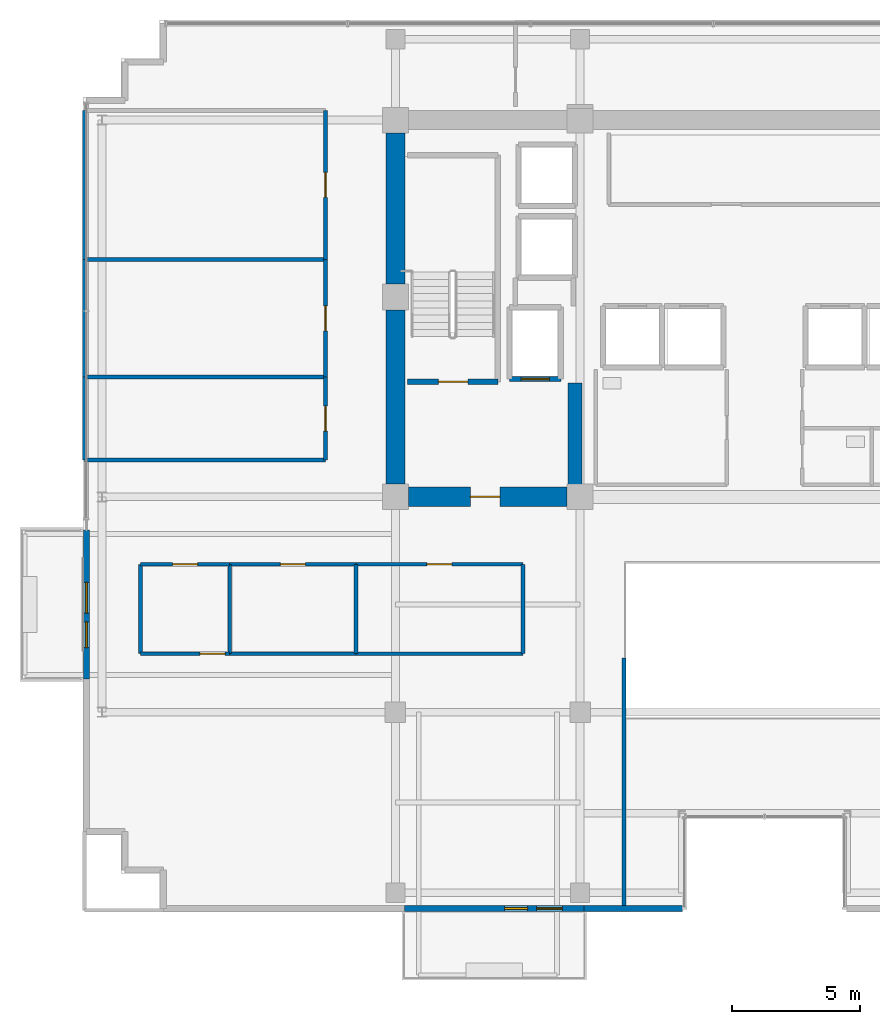
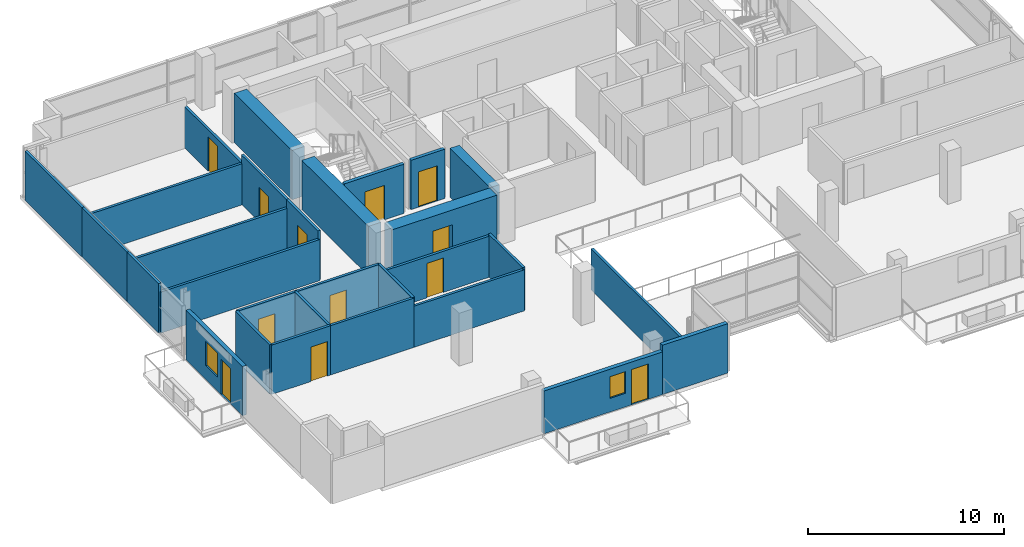
# One storey, part 14 of 21: 29 walls, 12 doors, 2 windows, 14 openings.
"""IFC4 building model written with IfcOpenShell, lengths in metres."""

import ifcopenshell
import ifcopenshell.guid

model = None  # the IFC model being written
_history = None  # IfcOwnerHistory: only IFC2X3 demands one
_inside = {}  # id of a spatial element -> (the spatial element, [elements in it])
_under = {}  # id of a project, library or spatial element -> (it, [spatial elements below it])
_declared = {}  # id of a project -> (the project, [libraries it declares])
_typed = {}  # id of a type object -> (the type object, [elements of that type])
_made_of = {}  # id of a material, layer set ... -> (it, [elements and type objects made of it])


def new_model(schema):
    """Start an empty IFC model of exactly this schema.

    Asked for "IFC4X3", IfcOpenShell would pick the latest addendum, in which some entities
    have other attributes; the version numbers below select the first issue.
    IFC2X3 requires an IfcOwnerHistory on every rooted entity: one is made here for all.
    """
    global model, _history
    if schema == "IFC4X3":
        model = ifcopenshell.file(schema_version=(4, 3, 0, 0))
    else:
        model = ifcopenshell.file(schema=schema)
    _inside.clear()
    _under.clear()
    _declared.clear()
    _typed.clear()
    _made_of.clear()
    _history = None
    if model.schema == "IFC2X3":
        org = make("IfcOrganization", Name="unknown")
        user = make(
            "IfcPersonAndOrganization",
            ThePerson=make("IfcPerson", FamilyName="unknown"),
            TheOrganization=org,
        )
        app = make(
            "IfcApplication",
            ApplicationDeveloper=org,
            Version="unknown",
            ApplicationFullName="unknown",
            ApplicationIdentifier="unknown",
        )
        _history = make(
            "IfcOwnerHistory",
            OwningUser=user,
            OwningApplication=app,
            ChangeAction="ADDED",
            CreationDate=0,
        )
    return model


def make(cls, **values):
    """One entity of the class cls with the attributes given. An attribute that is None is left unset."""
    return model.create_entity(
        cls, **{name: value for name, value in values.items() if value is not None}
    )


def rooted(cls, **values):
    """An entity with a GlobalId (a new one), such as an element, a storey or a relation."""
    return make(cls, GlobalId=ifcopenshell.guid.new(), OwnerHistory=_history, **values)


def si_unit(unit_type, name, prefix=None):
    """IfcSIUnit, for example si_unit("LENGTHUNIT", "METRE", prefix="MILLI")."""
    return make("IfcSIUnit", UnitType=unit_type, Prefix=prefix, Name=name)


def assignment(units):
    """IfcUnitAssignment: the units of a project."""
    return None if units is None else make("IfcUnitAssignment", Units=units)


def point(xyz):
    """IfcCartesianPoint."""
    return None if xyz is None else make("IfcCartesianPoint", Coordinates=xyz)


def direction(xyz):
    """IfcDirection."""
    return None if xyz is None else make("IfcDirection", DirectionRatios=xyz)


def frame(location, z_axis=None, x_axis=None):
    """IfcAxis2Placement3D, a coordinate frame: its origin and axes. An axis left out is left unset."""
    return make(
        "IfcAxis2Placement3D",
        Location=point(location),
        Axis=direction(z_axis),
        RefDirection=direction(x_axis),
    )


def frame_2d(location, x_axis=None):
    """IfcAxis2Placement2D, a coordinate frame in the plane: its origin and x axis."""
    return make(
        "IfcAxis2Placement2D", Location=point(location), RefDirection=direction(x_axis)
    )


def origin():
    """The frame at (0, 0, 0) with its axes left unset."""
    return frame((0.0, 0.0, 0.0))


def place(relative_to, where):
    """IfcLocalPlacement: puts the frame where relative to a parent placement (None: the world)."""
    return make(
        "IfcLocalPlacement", PlacementRelTo=relative_to, RelativePlacement=where
    )


def context(
    kind, dimensions, precision=None, world=None, true_north=None, identifier=None
):
    """IfcGeometricRepresentationContext, for example the 3D "Model" context."""
    return make(
        "IfcGeometricRepresentationContext",
        ContextIdentifier=identifier,
        ContextType=kind,
        CoordinateSpaceDimension=dimensions,
        Precision=precision,
        WorldCoordinateSystem=world,
        TrueNorth=true_north,
    )


def subcontext(parent, identifier, kind, view, scale=None):
    """IfcGeometricRepresentationSubContext, for example "Body" below "Model"."""
    return make(
        "IfcGeometricRepresentationSubContext",
        ContextIdentifier=identifier,
        ContextType=kind,
        ParentContext=parent,
        TargetScale=scale,
        TargetView=view,
    )


def project(units=None, contexts=None):
    """IfcProject with its units and contexts."""
    return rooted(
        "IfcProject",
        Name="project",
        RepresentationContexts=contexts,
        UnitsInContext=assignment(units),
    )


def spatial(cls, under=None, at=None, **own):
    """A site, building, storey or space (cls), placed at a placement, below another one or the project."""
    s = rooted(cls, ObjectPlacement=at, **own)
    if under is not None:
        _under.setdefault(under.id(), (under, []))[1].append(s)
    return s


def profile(cls, at=None, kind="AREA", **sizes):
    """A parametric profile (cls). Its sizes go by their IFC names, for example OverallWidth=200.0."""
    return make(cls, ProfileType=kind, Position=at, **sizes)


def rectangle(**sizes):
    """IfcRectangleProfileDef."""
    return profile("IfcRectangleProfileDef", **sizes)


def extrude(swept, where, along, depth):
    """IfcExtrudedAreaSolid: the profile swept, set in the frame where, extruded along a direction by depth."""
    return make(
        "IfcExtrudedAreaSolid",
        SweptArea=swept,
        Position=where,
        ExtrudedDirection=direction(along),
        Depth=depth,
    )


def shape(context_of_items, identifier, shape_type, items):
    """IfcShapeRepresentation: the items that make up one representation, for example the "Body"."""
    return make(
        "IfcShapeRepresentation",
        ContextOfItems=context_of_items,
        RepresentationIdentifier=identifier,
        RepresentationType=shape_type,
        Items=items,
    )


def source(mapping_origin, context_of_items, identifier, shape_type, items):
    """IfcRepresentationMap: a shape defined once, which mapped items show again and again."""
    return make(
        "IfcRepresentationMap",
        MappingOrigin=mapping_origin,
        MappedRepresentation=shape(context_of_items, identifier, shape_type, items),
    )


def transform(
    local_origin,
    x_axis=None,
    y_axis=None,
    z_axis=None,
    scale=None,
    scale2=None,
    scale3=None,
    uniform=True,
):
    """IfcCartesianTransformationOperator3D, or its non-uniform kind. x_axis, y_axis, z_axis: its Axis1, 2, 3."""
    if uniform:
        return make(
            "IfcCartesianTransformationOperator3D",
            Axis1=direction(x_axis),
            Axis2=direction(y_axis),
            LocalOrigin=point(local_origin),
            Scale=scale,
            Axis3=direction(z_axis),
        )
    return make(
        "IfcCartesianTransformationOperator3DnonUniform",
        Axis1=direction(x_axis),
        Axis2=direction(y_axis),
        LocalOrigin=point(local_origin),
        Scale=scale,
        Axis3=direction(z_axis),
        Scale2=scale2,
        Scale3=scale3,
    )


def mapped(mapping_source, mapping_target):
    """IfcMappedItem: shows the shape of a source again, moved by a transform."""
    return make(
        "IfcMappedItem", MappingSource=mapping_source, MappingTarget=mapping_target
    )


def material(Name=None, Category=None):
    """IfcMaterial."""
    return make("IfcMaterial", Name=Name, Category=Category)


def layer(
    of_material, thickness, ventilated=None, Name=None, Category=None, Priority=None
):
    """IfcMaterialLayer: one layer of a wall or slab, of a material (None: an air gap)."""
    return make(
        "IfcMaterialLayer",
        Material=of_material,
        LayerThickness=thickness,
        IsVentilated=ventilated,
        Name=Name,
        Category=Category,
        Priority=Priority,
    )


def layer_set(layers, Name=None):
    """IfcMaterialLayerSet."""
    return make("IfcMaterialLayerSet", MaterialLayers=layers, LayerSetName=Name)


def made_of(thing, what):
    """Note that an element or type object is made of a material, layer set ...; save() writes the relation."""
    if what is not None:
        _made_of.setdefault(what.id(), (what, []))[1].append(thing)
    return thing


def type_object(cls, material=None, **own):
    """A type object (cls), such as IfcWallType, which elements share."""
    return made_of(rooted(cls, **own), material)


def element(
    cls,
    number,
    at=None,
    inside=None,
    cuts=None,
    type_object=None,
    material=None,
    context=None,
    identifier="Body",
    shape_type=None,
    held_by="IfcProductDefinitionShape",
    body=None,
    shapes=None,
    **own,
):
    """One element of the class cls, such as IfcWall. Its Tag is "e" and its number.

    at: its placement. inside: the storey or other place that contains it. cuts: it is an
    opening in that element (IfcRelVoidsElement). A single representation is given by context,
    identifier, shape_type and body (its items); several are given by shapes. held_by: the class
    of the entity that holds the representations. save() writes the other relations.
    """
    e = rooted(cls, Tag="e%d" % number, ObjectPlacement=at, **own)
    if body is not None:
        shapes = [shape(context, identifier, shape_type, body)]
    if shapes is not None:
        e.Representation = make(held_by, Representations=shapes)
    if inside is not None:
        _inside.setdefault(inside.id(), (inside, []))[1].append(e)
    if cuts is not None:
        rooted(
            "IfcRelVoidsElement", RelatingBuildingElement=cuts, RelatedOpeningElement=e
        )
    if type_object is not None:
        _typed.setdefault(type_object.id(), (type_object, []))[1].append(e)
    return made_of(e, material)


def fill(opening, filler):
    """IfcRelFillsElement: the door or window that sits in an opening."""
    return rooted(
        "IfcRelFillsElement",
        RelatingOpeningElement=opening,
        RelatedBuildingElement=filler,
    )


def aggregate(whole, parts):
    """IfcRelAggregates: a whole, such as a stair, and the parts it consists of."""
    return rooted("IfcRelAggregates", RelatingObject=whole, RelatedObjects=parts)


def save(model, path):
    """Write the relations noted so far, then the file.

    IfcRelAggregates (storeys below a building ...), IfcRelContainedInSpatialStructure (elements
    in a storey), IfcRelDefinesByType, IfcRelAssociatesMaterial and IfcRelDeclares: one each for
    every whole, place, type object, material and project.
    """
    for whole, parts in _under.values():
        aggregate(whole, parts)
    for where, things in _inside.values():
        rooted(
            "IfcRelContainedInSpatialStructure",
            RelatedElements=things,
            RelatingStructure=where,
        )
    for kind, things in _typed.values():
        rooted("IfcRelDefinesByType", RelatedObjects=things, RelatingType=kind)
    for what, things in _made_of.values():
        rooted("IfcRelAssociatesMaterial", RelatedObjects=things, RelatingMaterial=what)
    for by, libraries in _declared.values():
        rooted("IfcRelDeclares", RelatingContext=by, RelatedDefinitions=libraries)
    model.write(path)


model = new_model("IFC4")

# Units and contexts
model_context = context("Model", 3, precision=1e-05, world=origin(), true_north=direction((0.0, 1.0)))
body_context = subcontext(model_context, "Body", "Model", "MODEL_VIEW")
ifc_project = project(units=[si_unit("LENGTHUNIT", "METRE"), si_unit("AREAUNIT", "SQUARE_METRE"), si_unit("VOLUMEUNIT", "CUBIC_METRE"), si_unit("PLANEANGLEUNIT", "RADIAN"), si_unit("MASSUNIT", "GRAM", prefix="KILO")], contexts=[model_context])

# Site, building, storey
site_placement = place(None, origin())
site = spatial("IfcSite", under=ifc_project, at=site_placement, CompositionType="ELEMENT")
building_placement = place(site_placement, origin())
building = spatial("IfcBuilding", under=site, at=building_placement, Name="Zarnakvel Exchange Tower", CompositionType="ELEMENT")
storey_placement = place(building_placement, frame((0.0, 0.0, 166.0)))
storey = spatial("IfcBuildingStorey", under=building, at=storey_placement, Name="L46", CompositionType="ELEMENT", Elevation=166.0)

# Walls
ifc_material_1 = material(Name="Concrete C60/75", Category="concrete")
ifc_layer_1 = layer(ifc_material_1, 0.75)
ifc_layer_set_1 = layer_set([ifc_layer_1], Name="Concrete C60/75")
wall_type_1 = type_object("IfcWallType", Name="CW-C3", PredefinedType="SHEAR", material=ifc_layer_set_1)
wall_1_placement = place(storey_placement, frame((-14.39990234375, -0.699951171875, 0.0), z_axis=(0.0, 0.0, 1.0), x_axis=(0.0, 1.0, 0.0)))
element("IfcWall", 1, at=wall_1_placement, inside=storey, type_object=wall_type_1, Name="L46 Rear Core Shear Wall W1 (CW-C3)", PredefinedType="SHEAR", context=body_context, shape_type="SweptSolid", body=[
    extrude(rectangle(XDim=6.800048828125, YDim=0.75, at=frame_2d((3.39990234375, 0.0))), origin(), (0.0, 0.0, 1.0), 3.074951171875),
])
wall_2_placement = place(storey_placement, frame((-14.39990234375, 7.10009765625, 0.0), z_axis=(0.0, 0.0, 1.0), x_axis=(0.0, 1.0, 0.0)))
element("IfcWall", 2, at=wall_2_placement, inside=storey, type_object=wall_type_1, Name="L46 Rear Core Shear Wall W2 (CW-C3)", PredefinedType="SHEAR", context=body_context, shape_type="SweptSolid", body=[
    extrude(rectangle(XDim=5.89990234375, YDim=0.75, at=frame_2d((2.949951171875, 0.0))), origin(), (0.0, 0.0, 1.0), 3.074951171875),
])

# Wall, opening, door
wall_3_placement = place(storey_placement, frame((-7.699951171875, -1.199951171875, 0.0), z_axis=(0.0, 0.0, 1.0), x_axis=(-1.0, 0.0, 0.0)))
wall_3 = element("IfcWall", 3, at=wall_3_placement, inside=storey, type_object=wall_type_1, Name="L46 Rear Core Shear Wall SW (CW-C3)", PredefinedType="SHEAR", context=body_context, shape_type="SweptSolid", body=[
    extrude(rectangle(XDim=6.199951171875, YDim=0.75, at=frame_2d((3.10009765625, 0.0))), origin(), (0.0, 0.0, 1.0), 3.074951171875),
])
opening_1_placement = place(wall_3_placement, frame((2.625, 0.0, 0.0)))
opening_1 = element("IfcOpeningElement", 4, at=opening_1_placement, cuts=wall_3, Name="Opening D-L46-03", PredefinedType="OPENING", context=body_context, shape_type="SweptSolid", body=[
    extrude(rectangle(XDim=1.14990234375, YDim=2.14990234375, at=frame_2d((0.574951171875, 1.074951171875))), frame((0.0, 0.385009765625, 0.0), z_axis=(0.0, -1.0, 0.0), x_axis=(1.0, 0.0, 0.0)), (0.0, 0.0, 1.0), 0.77001953125),
])
ifc_material_2 = material(Name="Painted Galvanised Steel S355", Category="steel")
door_type_1 = type_object("IfcDoorType", Name="DT-04", OperationType="NOTDEFINED", PredefinedType="DOOR", material=ifc_material_2)
shared_shape_1 = source(origin(), body_context, "Body", "SweptSolid", [
    extrude(rectangle(XDim=1.14990234375, YDim=2.14990234375, at=frame_2d((0.574951171875, 1.074951171875))), frame((0.0, 0.02490234375, 0.0), z_axis=(0.0, -1.0, 0.0), x_axis=(1.0, 0.0, 0.0)), (0.0, 0.0, 1.0), 0.050048828125),
])
door_1_placement = place(opening_1_placement, origin())
door_1 = element("IfcDoor", 5, at=door_1_placement, inside=storey, type_object=door_type_1, Name="L46 Firefighting Lobby West Door D-L46-03", OperationType="SINGLE_SWING_RIGHT", OverallHeight=2.14990234375, OverallWidth=1.14990234375, PredefinedType="DOOR", context=body_context, shape_type="MappedRepresentation", body=[
    mapped(shared_shape_1, transform((0.0, 0.0, 0.0), x_axis=(1.0, 0.0, 0.0), y_axis=(0.0, 1.0, 0.0), z_axis=(0.0, 0.0, 1.0), scale=1.0)),
])
fill(opening_1, door_1)

# Wall
ifc_layer_2 = layer(ifc_material_1, 0.550048828125)
ifc_layer_set_2 = layer_set([ifc_layer_2], Name="Concrete C60/75")
wall_type_2 = type_object("IfcWallType", Name="CW-C4", PredefinedType="SHEAR", material=ifc_layer_set_2)
wall_4_placement = place(storey_placement, frame((-7.39990234375, -0.824951171875, 0.0), z_axis=(0.0, 0.0, 1.0), x_axis=(0.0, 1.0, 0.0)))
element("IfcWall", 6, at=wall_4_placement, inside=storey, type_object=wall_type_2, Name="L46 Rear Core Shear Wall IW (CW-C4)", PredefinedType="SHEAR", context=body_context, shape_type="SweptSolid", body=[
    extrude(rectangle(XDim=4.074951171875, YDim=0.550048828125, at=frame_2d((2.03759765625, 0.0))), origin(), (0.0, 0.0, 1.0), 3.074951171875),
])

# Wall, openings, door, window
ifc_material_3 = material(Name="Precast concrete C40/50", Category="concrete")
ifc_layer_3 = layer(ifc_material_3, 0.239990234375)
ifc_layer_set_3 = layer_set([ifc_layer_3], Name="Precast concrete C40/50")
wall_type_3 = type_object("IfcWallType", Name="EW-02", PredefinedType="SOLIDWALL", material=ifc_layer_set_3)
wall_5_placement = place(storey_placement, frame((-7.050048828125, -17.260009765625, 0.0), z_axis=(0.0, 0.0, 1.0), x_axis=(-1.0, 0.0, 0.0)))
wall_5 = element("IfcWall", 7, at=wall_5_placement, inside=storey, type_object=wall_type_3, Name="L46 Exterior Precast Spandrel Wall EW-BAL-L46-SW (EW-02)", PredefinedType="SOLIDWALL", context=body_context, shape_type="SweptSolid", body=[
    extrude(rectangle(XDim=7.0, YDim=0.239990234375, at=frame_2d((3.5, 0.0))), origin(), (0.0, 0.0, 1.0), 2.6650390625),
])
opening_2_placement = place(wall_5_placement, frame((0.840087890625, 0.0, 0.0)))
opening_2 = element("IfcOpeningElement", 8, at=opening_2_placement, cuts=wall_5, Name="Opening BD-L46-01", PredefinedType="OPENING", context=body_context, shape_type="SweptSolid", body=[
    extrude(rectangle(XDim=1.0, YDim=2.199951171875, at=frame_2d((0.5, 1.10009765625))), frame((0.0, 0.1298828125, 0.0), z_axis=(0.0, -1.0, 0.0), x_axis=(1.0, 0.0, 0.0)), (0.0, 0.0, 1.0), 0.260009765625),
])
opening_3_placement = place(wall_5_placement, frame((2.18994140625, 0.0, 0.85009765625)))
opening_3 = element("IfcOpeningElement", 9, at=opening_3_placement, cuts=wall_5, Name="Opening WN-06", PredefinedType="OPENING", context=body_context, shape_type="SweptSolid", body=[
    extrude(rectangle(XDim=0.89990234375, YDim=1.35009765625, at=frame_2d((0.449951171875, 0.675048828125))), frame((0.0, 0.1298828125, 0.0), z_axis=(0.0, -1.0, 0.0), x_axis=(1.0, 0.0, 0.0)), (0.0, 0.0, 1.0), 0.260009765625),
])
ifc_material_4 = material(Name="Architectural Bronze Anodised Aluminium", Category="aluminium")
door_type_2 = type_object("IfcDoorType", Name="DT-09", OperationType="NOTDEFINED", PredefinedType="DOOR", material=ifc_material_4)
shared_shape_2 = source(origin(), body_context, "Body", "SweptSolid", [
    extrude(rectangle(XDim=1.0, YDim=2.199951171875, at=frame_2d((0.5, 1.10009765625))), frame((0.0, 0.02490234375, 0.0), z_axis=(0.0, -1.0, 0.0), x_axis=(1.0, 0.0, 0.0)), (0.0, 0.0, 1.0), 0.050048828125),
])
door_2_placement = place(opening_2_placement, origin())
door_2 = element("IfcDoor", 10, at=door_2_placement, inside=storey, type_object=door_type_2, Name="L46 Planted Loggia Balcony Door BD-L46-01", OperationType="SINGLE_SWING_RIGHT", OverallHeight=2.199951171875, OverallWidth=1.0, PredefinedType="DOOR", context=body_context, shape_type="MappedRepresentation", body=[
    mapped(shared_shape_2, transform((0.0, 0.0, 0.0), x_axis=(1.0, 0.0, 0.0), y_axis=(0.0, 1.0, 0.0), z_axis=(0.0, 0.0, 1.0), scale=1.0)),
])
fill(opening_2, door_2)
ifc_material_5 = material(Name="Double Low-E Laminated Vision Glass", Category="glass")
window_type_1 = type_object("IfcWindowType", Name="WN-06", PartitioningType="SINGLE_PANEL", PredefinedType="WINDOW", material=ifc_material_5)
shared_shape_3 = source(origin(), body_context, "Body", "SweptSolid", [
    extrude(rectangle(XDim=0.89990234375, YDim=1.35009765625, at=frame_2d((0.449951171875, 0.675048828125))), frame((0.0, 0.030029296875, 0.0), z_axis=(0.0, -1.0, 0.0), x_axis=(1.0, 0.0, 0.0)), (0.0, 0.0, 1.0), 0.06005859375),
])
window_1_placement = place(opening_3_placement, origin())
window_1 = element("IfcWindow", 11, at=window_1_placement, inside=storey, type_object=window_type_1, Name="L46 Loggia Daylight Window (WN-06)", OverallHeight=1.35009765625, OverallWidth=0.89990234375, PartitioningType="SINGLE_PANEL", PredefinedType="WINDOW", context=body_context, shape_type="MappedRepresentation", body=[
    mapped(shared_shape_3, transform((0.0, 0.0, 0.0), x_axis=(1.0, 0.0, 0.0), y_axis=(0.0, 1.0, 0.0), z_axis=(0.0, 0.0, 1.0), scale=1.0)),
])
fill(opening_3, window_1)

wall_6_placement = place(storey_placement, frame((-26.4599609375, -8.300048828125, 0.0), z_axis=(0.0, 0.0, 1.0), x_axis=(0.0, 1.0, 0.0)))
wall_6 = element("IfcWall", 12, at=wall_6_placement, inside=storey, type_object=wall_type_3, Name="L46 Exterior Precast Spandrel Wall EW-BAL-L46-W (EW-02)", PredefinedType="SOLIDWALL", context=body_context, shape_type="SweptSolid", body=[
    extrude(rectangle(XDim=5.800048828125, YDim=0.239990234375, at=frame_2d((2.89990234375, 0.0))), origin(), (0.0, 0.0, 1.0), 3.074951171875),
])
opening_4_placement = place(wall_6_placement, frame((1.218017578125, 0.0, 0.0)))
opening_4 = element("IfcOpeningElement", 13, at=opening_4_placement, cuts=wall_6, Name="Opening BD-L46-03", PredefinedType="OPENING", context=body_context, shape_type="SweptSolid", body=[
    extrude(rectangle(XDim=1.0, YDim=2.199951171875, at=frame_2d((0.5, 1.10009765625))), frame((0.0, 0.1298828125, 0.0), z_axis=(0.0, -1.0, 0.0), x_axis=(1.0, 0.0, 0.0)), (0.0, 0.0, 1.0), 0.260009765625),
])
opening_5_placement = place(wall_6_placement, frame((2.568115234375, 0.0, 0.85009765625)))
opening_5 = element("IfcOpeningElement", 14, at=opening_5_placement, cuts=wall_6, Name="Opening WN-04", PredefinedType="OPENING", context=body_context, shape_type="SweptSolid", body=[
    extrude(rectangle(XDim=1.199951171875, YDim=1.5, at=frame_2d((0.60009765625, 0.75))), frame((0.0, 0.1298828125, 0.0), z_axis=(0.0, -1.0, 0.0), x_axis=(1.0, 0.0, 0.0)), (0.0, 0.0, 1.0), 0.260009765625),
])
door_3_placement = place(opening_4_placement, origin())
door_3 = element("IfcDoor", 15, at=door_3_placement, inside=storey, type_object=door_type_2, Name="L46 Planted Loggia Balcony Door BD-L46-03", OperationType="SINGLE_SWING_RIGHT", OverallHeight=2.199951171875, OverallWidth=1.0, PredefinedType="DOOR", context=body_context, shape_type="MappedRepresentation", body=[
    mapped(shared_shape_2, transform((0.0, 0.0, 0.0), x_axis=(1.0, 0.0, 0.0), y_axis=(0.0, 1.0, 0.0), z_axis=(0.0, 0.0, 1.0), scale=1.0)),
])
fill(opening_4, door_3)
window_type_2 = type_object("IfcWindowType", Name="WN-04", PartitioningType="SINGLE_PANEL", PredefinedType="WINDOW", material=ifc_material_5)
shared_shape_4 = source(origin(), body_context, "Body", "SweptSolid", [
    extrude(rectangle(XDim=1.199951171875, YDim=1.5, at=frame_2d((0.60009765625, 0.75))), frame((0.0, 0.030029296875, 0.0), z_axis=(0.0, -1.0, 0.0), x_axis=(1.0, 0.0, 0.0)), (0.0, 0.0, 1.0), 0.06005859375),
])
window_2_placement = place(opening_5_placement, origin())
window_2 = element("IfcWindow", 16, at=window_2_placement, inside=storey, type_object=window_type_2, Name="L46 Loggia Daylight Window (WN-04)", OverallHeight=1.5, OverallWidth=1.199951171875, PartitioningType="SINGLE_PANEL", PredefinedType="WINDOW", context=body_context, shape_type="MappedRepresentation", body=[
    mapped(shared_shape_4, transform((0.0, 0.0, 0.0), x_axis=(1.0, 0.0, 0.0), y_axis=(0.0, 1.0, 0.0), z_axis=(0.0, 0.0, 1.0), scale=1.0)),
])
fill(opening_5, window_2)

# Wall
wall_7_placement = place(storey_placement, frame((-7.050048828125, -17.260009765625, 0.0), z_axis=(0.0, 0.0, 1.0), x_axis=(1.0, 0.0, 0.0)))
element("IfcWall", 17, at=wall_7_placement, inside=storey, type_object=wall_type_3, Name="L46 Exterior Precast Spandrel Wall EWC-L46-21 (EW-02)", PredefinedType="SOLIDWALL", context=body_context, shape_type="SweptSolid", body=[
    extrude(rectangle(XDim=3.85009765625, YDim=0.239990234375, at=frame_2d((1.925048828125, 0.0))), origin(), (0.0, 0.0, 1.0), 3.074951171875),
])

# Wall, opening, door
ifc_material_6 = material(Name="Fire-Rated Gypsum Stud Partition", Category="gypsum")
ifc_layer_4 = layer(ifc_material_6, 0.14990234375)
ifc_layer_set_4 = layer_set([ifc_layer_4], Name="Fire-Rated Gypsum Stud Partition")
wall_type_4 = type_object("IfcWallType", Name="PT-01", PredefinedType="PARTITIONING", material=ifc_layer_set_4)
wall_8_placement = place(storey_placement, frame((-20.86767578125, -7.320068359375, 0.0), z_axis=(0.0, 0.0, 1.0), x_axis=(-1.0, 0.0, 0.0)))
wall_8 = element("IfcWall", 18, at=wall_8_placement, inside=storey, type_object=wall_type_4, Name="L46 Partition Wall PWALL-L46-025 (PT-01)", PredefinedType="PARTITIONING", context=body_context, shape_type="SweptSolid", body=[
    extrude(rectangle(XDim=3.48095703125, YDim=0.14990234375, at=frame_2d((1.740478515625, 0.0))), origin(), (0.0, 0.0, 1.0), 3.074951171875),
])
opening_6_placement = place(wall_8_placement, frame((0.179931640625, 0.0, 0.0)))
opening_6 = element("IfcOpeningElement", 19, at=opening_6_placement, cuts=wall_8, Name="Opening D-L46-13", PredefinedType="OPENING", context=body_context, shape_type="SweptSolid", body=[
    extrude(rectangle(XDim=0.97998046875, YDim=2.14990234375, at=frame_2d((0.489990234375, 1.074951171875))), frame((0.0, 0.0849609375, 0.0), z_axis=(0.0, -1.0, 0.0), x_axis=(1.0, 0.0, 0.0)), (0.0, 0.0, 1.0), 0.169921875),
])
ifc_material_7 = material(Name="Timber Acoustic Veneer", Category="wood")
door_type_3 = type_object("IfcDoorType", Name="DT-05", OperationType="NOTDEFINED", PredefinedType="DOOR", material=ifc_material_7)
shared_shape_5 = source(origin(), body_context, "Body", "SweptSolid", [
    extrude(rectangle(XDim=0.97998046875, YDim=2.14990234375, at=frame_2d((0.489990234375, 1.074951171875))), frame((0.0, 0.02490234375, 0.0), z_axis=(0.0, -1.0, 0.0), x_axis=(1.0, 0.0, 0.0)), (0.0, 0.0, 1.0), 0.050048828125),
])
door_4_placement = place(opening_6_placement, origin())
door_4 = element("IfcDoor", 20, at=door_4_placement, inside=storey, type_object=door_type_3, Name="L46 Derivatives Trading Hall Door D-L46-13", OperationType="SINGLE_SWING_RIGHT", OverallHeight=2.14990234375, OverallWidth=0.97998046875, PredefinedType="DOOR", context=body_context, shape_type="MappedRepresentation", body=[
    mapped(shared_shape_5, transform((0.0, 0.0, 0.0), x_axis=(1.0, 0.0, 0.0), y_axis=(0.0, 1.0, 0.0), z_axis=(0.0, 0.0, 1.0), scale=1.0)),
])
fill(opening_6, door_4)

wall_9_placement = place(storey_placement, frame((-24.3486328125, -3.830078125, 0.0), z_axis=(0.0, 0.0, 1.0), x_axis=(1.0, 0.0, 0.0)))
wall_9 = element("IfcWall", 21, at=wall_9_placement, inside=storey, type_object=wall_type_4, Name="L46 Partition Wall PWALL-L46-026 (PT-01)", PredefinedType="PARTITIONING", context=body_context, shape_type="SweptSolid", body=[
    extrude(rectangle(XDim=3.48095703125, YDim=0.14990234375, at=frame_2d((1.740478515625, 0.0))), origin(), (0.0, 0.0, 1.0), 3.074951171875),
])
opening_7_placement = place(wall_9_placement, frame((1.25048828125, 0.0, 0.0)))
opening_7 = element("IfcOpeningElement", 22, at=opening_7_placement, cuts=wall_9, Name="Opening D-L46-10", PredefinedType="OPENING", context=body_context, shape_type="SweptSolid", body=[
    extrude(rectangle(XDim=0.97998046875, YDim=2.14990234375, at=frame_2d((0.489990234375, 1.074951171875))), frame((0.0, 0.0849609375, 0.0), z_axis=(0.0, -1.0, 0.0), x_axis=(1.0, 0.0, 0.0)), (0.0, 0.0, 1.0), 0.169921875),
])
door_5_placement = place(opening_7_placement, origin())
door_5 = element("IfcDoor", 23, at=door_5_placement, inside=storey, type_object=door_type_3, Name="L46 Quant Research Office Door D-L46-10", OperationType="SINGLE_SWING_LEFT", OverallHeight=2.14990234375, OverallWidth=0.97998046875, PredefinedType="DOOR", context=body_context, shape_type="MappedRepresentation", body=[
    mapped(shared_shape_5, transform((0.0, 0.0, 0.0), x_axis=(1.0, 0.0, 0.0), y_axis=(0.0, 1.0, 0.0), z_axis=(0.0, 0.0, 1.0), scale=1.0)),
])
fill(opening_7, door_5)

# Walls
for number, where, z_axis, x_axis, name in (
    (24, (-24.3486328125, -7.320068359375, 0.0), (0.0, 0.0, 1.0), (0.0, 1.0, 0.0), "L46 Partition Wall PWALL-L46-027 (PT-01)"),
    (25, (-20.86767578125, -3.830078125, 0.0), (0.0, 0.0, 1.0), (0.0, -1.0, 0.0), "L46 Partition Wall PWALL-L46-028 (PT-01)"),
):
    element("IfcWall", number, at=place(storey_placement, frame(where, z_axis=z_axis, x_axis=x_axis)), inside=storey, type_object=wall_type_4, Name=name, PredefinedType="PARTITIONING", context=body_context, shape_type="SweptSolid", body=[
        extrude(rectangle(XDim=3.489990234375, YDim=0.14990234375, at=frame_2d((1.7451171875, 0.0))), origin(), (0.0, 0.0, 1.0), 3.074951171875),
    ])
wall_10_placement = place(storey_placement, frame((-15.943115234375, -7.320068359375, 0.0), z_axis=(0.0, 0.0, 1.0), x_axis=(-1.0, 0.0, 0.0)))
element("IfcWall", 26, at=wall_10_placement, inside=storey, type_object=wall_type_4, Name="L46 Partition Wall PWALL-L46-029 (PT-01)", PredefinedType="PARTITIONING", context=body_context, shape_type="SweptSolid", body=[
    extrude(rectangle(XDim=4.924560546875, YDim=0.14990234375, at=frame_2d((2.46240234375, 0.0))), origin(), (0.0, 0.0, 1.0), 3.074951171875),
])

# Wall, opening, door
wall_11_placement = place(storey_placement, frame((-20.86767578125, -3.830078125, 0.0), z_axis=(0.0, 0.0, 1.0), x_axis=(1.0, 0.0, 0.0)))
wall_11 = element("IfcWall", 27, at=wall_11_placement, inside=storey, type_object=wall_type_4, Name="L46 Partition Wall PWALL-L46-030 (PT-01)", PredefinedType="PARTITIONING", context=body_context, shape_type="SweptSolid", body=[
    extrude(rectangle(XDim=4.924560546875, YDim=0.14990234375, at=frame_2d((2.46240234375, 0.0))), origin(), (0.0, 0.0, 1.0), 3.074951171875),
])
opening_8_placement = place(wall_11_placement, frame((1.97265625, 0.0, 0.0)))
opening_8 = element("IfcOpeningElement", 28, at=opening_8_placement, cuts=wall_11, Name="Opening D-L46-11", PredefinedType="OPENING", context=body_context, shape_type="SweptSolid", body=[
    extrude(rectangle(XDim=0.97998046875, YDim=2.14990234375, at=frame_2d((0.489990234375, 1.074951171875))), frame((0.0, 0.0849609375, 0.0), z_axis=(0.0, -1.0, 0.0), x_axis=(1.0, 0.0, 0.0)), (0.0, 0.0, 1.0), 0.169921875),
])
door_6_placement = place(opening_8_placement, origin())
door_6 = element("IfcDoor", 29, at=door_6_placement, inside=storey, type_object=door_type_3, Name="L46 Conference Room Door D-L46-11", OperationType="SINGLE_SWING_RIGHT", OverallHeight=2.14990234375, OverallWidth=0.97998046875, PredefinedType="DOOR", context=body_context, shape_type="MappedRepresentation", body=[
    mapped(shared_shape_5, transform((0.0, 0.0, 0.0), x_axis=(1.0, 0.0, 0.0), y_axis=(0.0, 1.0, 0.0), z_axis=(0.0, 0.0, 1.0), scale=1.0)),
])
fill(opening_8, door_6)

# Walls
wall_12_placement = place(storey_placement, frame((-15.943115234375, -3.830078125, 0.0), z_axis=(0.0, 0.0, 1.0), x_axis=(0.0, -1.0, 0.0)))
element("IfcWall", 30, at=wall_12_placement, inside=storey, type_object=wall_type_4, Name="L46 Partition Wall PWALL-L46-031 (PT-01)", PredefinedType="PARTITIONING", context=body_context, shape_type="SweptSolid", body=[
    extrude(rectangle(XDim=3.489990234375, YDim=0.14990234375, at=frame_2d((1.7451171875, 0.0))), origin(), (0.0, 0.0, 1.0), 3.074951171875),
])
wall_13_placement = place(storey_placement, frame((-9.429931640625, -7.320068359375, 0.0), z_axis=(0.0, 0.0, 1.0), x_axis=(-1.0, 0.0, 0.0)))
element("IfcWall", 31, at=wall_13_placement, inside=storey, type_object=wall_type_4, Name="L46 Partition Wall PWALL-L46-032 (PT-01)", PredefinedType="PARTITIONING", context=body_context, shape_type="SweptSolid", body=[
    extrude(rectangle(XDim=6.51318359375, YDim=0.14990234375, at=frame_2d((3.256591796875, 0.0))), origin(), (0.0, 0.0, 1.0), 2.56494140625),
])

# Wall, opening, door
wall_14_placement = place(storey_placement, frame((-15.943115234375, -3.830078125, 0.0), z_axis=(0.0, 0.0, 1.0), x_axis=(1.0, 0.0, 0.0)))
wall_14 = element("IfcWall", 32, at=wall_14_placement, inside=storey, type_object=wall_type_4, Name="L46 Partition Wall PWALL-L46-033 (PT-01)", PredefinedType="PARTITIONING", context=body_context, shape_type="SweptSolid", body=[
    extrude(rectangle(XDim=6.51318359375, YDim=0.14990234375, at=frame_2d((3.256591796875, 0.0))), origin(), (0.0, 0.0, 1.0), 2.56494140625),
])
opening_9_placement = place(wall_14_placement, frame((2.76708984375, 0.0, 0.0)))
opening_9 = element("IfcOpeningElement", 33, at=opening_9_placement, cuts=wall_14, Name="Opening D-L46-12", PredefinedType="OPENING", context=body_context, shape_type="SweptSolid", body=[
    extrude(rectangle(XDim=0.97998046875, YDim=2.14990234375, at=frame_2d((0.489990234375, 1.074951171875))), frame((0.0, 0.0849609375, 0.0), z_axis=(0.0, -1.0, 0.0), x_axis=(1.0, 0.0, 0.0)), (0.0, 0.0, 1.0), 0.169921875),
])
door_7_placement = place(opening_9_placement, origin())
door_7 = element("IfcDoor", 34, at=door_7_placement, inside=storey, type_object=door_type_3, Name="L46 Executive Suite Door D-L46-12", OperationType="SINGLE_SWING_LEFT", OverallHeight=2.14990234375, OverallWidth=0.97998046875, PredefinedType="DOOR", context=body_context, shape_type="MappedRepresentation", body=[
    mapped(shared_shape_5, transform((0.0, 0.0, 0.0), x_axis=(1.0, 0.0, 0.0), y_axis=(0.0, 1.0, 0.0), z_axis=(0.0, 0.0, 1.0), scale=1.0)),
])
fill(opening_9, door_7)

# Walls
wall_15_placement = place(storey_placement, frame((-9.429931640625, -3.830078125, 0.0), z_axis=(0.0, 0.0, 1.0), x_axis=(0.0, -1.0, 0.0)))
element("IfcWall", 35, at=wall_15_placement, inside=storey, type_object=wall_type_4, Name="L46 Partition Wall PWALL-L46-034 (PT-01)", PredefinedType="PARTITIONING", context=body_context, shape_type="SweptSolid", body=[
    extrude(rectangle(XDim=3.489990234375, YDim=0.14990234375, at=frame_2d((1.7451171875, 0.0))), origin(), (0.0, 0.0, 1.0), 2.6650390625),
])
wall_16_placement = place(storey_placement, frame((-5.47998046875, -7.47998046875, 0.0), z_axis=(0.0, 0.0, 1.0), x_axis=(0.0, -1.0, 0.0)))
element("IfcWall", 36, at=wall_16_placement, inside=storey, type_object=wall_type_4, Name="L46 Partition Wall PWALL-L46-037 (PT-01)", PredefinedType="PARTITIONING", context=body_context, shape_type="SweptSolid", body=[
    extrude(rectangle(XDim=9.85009765625, YDim=0.14990234375, at=frame_2d((4.925048828125, 0.0))), origin(), (0.0, 0.0, 1.0), 2.56494140625),
])
for number, where, z_axis, x_axis, name in (
    (37, (-17.1298828125, 0.235595703125, 0.0), (0.0, 0.0, 1.0), (-1.0, 0.0, 0.0), "L46 Partition Wall PWALL-L46-045 (PT-01)"),
    (38, (-26.530029296875, 3.47119140625, 0.0), (0.0, 0.0, 1.0), (1.0, 0.0, 0.0), "L46 Partition Wall PWALL-L46-046 (PT-01)"),
):
    element("IfcWall", number, at=place(storey_placement, frame(where, z_axis=z_axis, x_axis=x_axis)), inside=storey, type_object=wall_type_4, Name=name, PredefinedType="PARTITIONING", context=body_context, shape_type="SweptSolid", body=[
        extrude(rectangle(XDim=9.400146484375, YDim=0.14990234375, at=frame_2d((4.7001953125, 0.0))), origin(), (0.0, 0.0, 1.0), 2.56494140625),
    ])
wall_17_placement = place(storey_placement, frame((-26.530029296875, 0.235595703125, 0.0), z_axis=(0.0, 0.0, 1.0), x_axis=(0.0, 1.0, 0.0)))
element("IfcWall", 39, at=wall_17_placement, inside=storey, type_object=wall_type_4, Name="L46 Partition Wall PWALL-L46-047 (PT-01)", PredefinedType="PARTITIONING", context=body_context, shape_type="SweptSolid", body=[
    extrude(rectangle(XDim=3.235595703125, YDim=0.14990234375, at=frame_2d((1.61767578125, 0.0))), origin(), (0.0, 0.0, 1.0), 3.074951171875),
])

# Wall, opening, door
wall_18_placement = place(storey_placement, frame((-17.1298828125, 3.47119140625, 0.0), z_axis=(0.0, 0.0, 1.0), x_axis=(0.0, -1.0, 0.0)))
wall_18 = element("IfcWall", 40, at=wall_18_placement, inside=storey, type_object=wall_type_4, Name="L46 Partition Wall PWALL-L46-048 (PT-01)", PredefinedType="PARTITIONING", context=body_context, shape_type="SweptSolid", body=[
    extrude(rectangle(XDim=3.235595703125, YDim=0.14990234375, at=frame_2d((1.61767578125, 0.0))), origin(), (0.0, 0.0, 1.0), 3.074951171875),
])
opening_10_placement = place(wall_18_placement, frame((1.12841796875, 0.0, 0.0)))
opening_10 = element("IfcOpeningElement", 41, at=opening_10_placement, cuts=wall_18, Name="Opening D-L46-16", PredefinedType="OPENING", context=body_context, shape_type="SweptSolid", body=[
    extrude(rectangle(XDim=0.97998046875, YDim=2.14990234375, at=frame_2d((0.489990234375, 1.074951171875))), frame((0.0, 0.0849609375, 0.0), z_axis=(0.0, -1.0, 0.0), x_axis=(1.0, 0.0, 0.0)), (0.0, 0.0, 1.0), 0.169921875),
])
door_8_placement = place(opening_10_placement, origin())
door_8 = element("IfcDoor", 42, at=door_8_placement, inside=storey, type_object=door_type_3, Name="L46 Staff Pantry Door D-L46-16", OperationType="SINGLE_SWING_LEFT", OverallHeight=2.14990234375, OverallWidth=0.97998046875, PredefinedType="DOOR", context=body_context, shape_type="MappedRepresentation", body=[
    mapped(shared_shape_5, transform((0.0, 0.0, 0.0), x_axis=(1.0, 0.0, 0.0), y_axis=(0.0, 1.0, 0.0), z_axis=(0.0, 0.0, 1.0), scale=1.0)),
])
fill(opening_10, door_8)

# Walls
wall_19_placement = place(storey_placement, frame((-26.530029296875, 8.060546875, 0.0), z_axis=(0.0, 0.0, 1.0), x_axis=(1.0, 0.0, 0.0)))
element("IfcWall", 43, at=wall_19_placement, inside=storey, type_object=wall_type_4, Name="L46 Partition Wall PWALL-L46-049 (PT-01)", PredefinedType="PARTITIONING", context=body_context, shape_type="SweptSolid", body=[
    extrude(rectangle(XDim=9.400146484375, YDim=0.14990234375, at=frame_2d((4.7001953125, 0.0))), origin(), (0.0, 0.0, 1.0), 2.56494140625),
])
wall_20_placement = place(storey_placement, frame((-26.530029296875, 3.47119140625, 0.0), z_axis=(0.0, 0.0, 1.0), x_axis=(0.0, 1.0, 0.0)))
element("IfcWall", 44, at=wall_20_placement, inside=storey, type_object=wall_type_4, Name="L46 Partition Wall PWALL-L46-050 (PT-01)", PredefinedType="PARTITIONING", context=body_context, shape_type="SweptSolid", body=[
    extrude(rectangle(XDim=4.58935546875, YDim=0.14990234375, at=frame_2d((2.294677734375, 0.0))), origin(), (0.0, 0.0, 1.0), 3.074951171875),
])

# Wall, opening, door
wall_21_placement = place(storey_placement, frame((-17.1298828125, 8.060546875, 0.0), z_axis=(0.0, 0.0, 1.0), x_axis=(0.0, -1.0, 0.0)))
wall_21 = element("IfcWall", 45, at=wall_21_placement, inside=storey, type_object=wall_type_4, Name="L46 Partition Wall PWALL-L46-051 (PT-01)", PredefinedType="PARTITIONING", context=body_context, shape_type="SweptSolid", body=[
    extrude(rectangle(XDim=4.58935546875, YDim=0.14990234375, at=frame_2d((2.294677734375, 0.0))), origin(), (0.0, 0.0, 1.0), 3.074951171875),
])
opening_11_placement = place(wall_21_placement, frame((1.804443359375, 0.0, 0.0)))
opening_11 = element("IfcOpeningElement", 46, at=opening_11_placement, cuts=wall_21, Name="Opening D-L46-17", PredefinedType="OPENING", context=body_context, shape_type="SweptSolid", body=[
    extrude(rectangle(XDim=0.97998046875, YDim=2.14990234375, at=frame_2d((0.489990234375, 1.074951171875))), frame((0.0, 0.0849609375, 0.0), z_axis=(0.0, -1.0, 0.0), x_axis=(1.0, 0.0, 0.0)), (0.0, 0.0, 1.0), 0.169921875),
])
door_9_placement = place(opening_11_placement, origin())
door_9 = element("IfcDoor", 47, at=door_9_placement, inside=storey, type_object=door_type_3, Name="L46 Compliance Office Door D-L46-17", OperationType="SINGLE_SWING_RIGHT", OverallHeight=2.14990234375, OverallWidth=0.97998046875, PredefinedType="DOOR", context=body_context, shape_type="MappedRepresentation", body=[
    mapped(shared_shape_5, transform((0.0, 0.0, 0.0), x_axis=(1.0, 0.0, 0.0), y_axis=(0.0, 1.0, 0.0), z_axis=(0.0, 0.0, 1.0), scale=1.0)),
])
fill(opening_11, door_9)

# Wall
wall_22_placement = place(storey_placement, frame((-26.530029296875, 8.060546875, 0.0), z_axis=(0.0, 0.0, 1.0), x_axis=(0.0, 1.0, 0.0)))
element("IfcWall", 48, at=wall_22_placement, inside=storey, type_object=wall_type_4, Name="L46 Partition Wall PWALL-L46-053 (PT-01)", PredefinedType="PARTITIONING", context=body_context, shape_type="SweptSolid", body=[
    extrude(rectangle(XDim=5.8193359375, YDim=0.14990234375, at=frame_2d((2.90966796875, 0.0))), origin(), (0.0, 0.0, 1.0), 3.074951171875),
])

# Wall, opening, door
wall_23_placement = place(storey_placement, frame((-17.1298828125, 13.8798828125, 0.0), z_axis=(0.0, 0.0, 1.0), x_axis=(0.0, -1.0, 0.0)))
wall_23 = element("IfcWall", 49, at=wall_23_placement, inside=storey, type_object=wall_type_4, Name="L46 Partition Wall PWALL-L46-054 (PT-01)", PredefinedType="PARTITIONING", context=body_context, shape_type="SweptSolid", body=[
    extrude(rectangle(XDim=5.8193359375, YDim=0.14990234375, at=frame_2d((2.90966796875, 0.0))), origin(), (0.0, 0.0, 1.0), 2.56494140625),
])
opening_12_placement = place(wall_23_placement, frame((2.419921875, 0.0, 0.0)))
opening_12 = element("IfcOpeningElement", 50, at=opening_12_placement, cuts=wall_23, Name="Opening D-L46-18", PredefinedType="OPENING", context=body_context, shape_type="SweptSolid", body=[
    extrude(rectangle(XDim=0.97998046875, YDim=2.14990234375, at=frame_2d((0.489990234375, 1.074951171875))), frame((0.0, 0.0849609375, 0.0), z_axis=(0.0, -1.0, 0.0), x_axis=(1.0, 0.0, 0.0)), (0.0, 0.0, 1.0), 0.169921875),
])
door_10_placement = place(opening_12_placement, origin())
door_10 = element("IfcDoor", 51, at=door_10_placement, inside=storey, type_object=door_type_3, Name="L46 Client Lounge Door D-L46-18", OperationType="SINGLE_SWING_LEFT", OverallHeight=2.14990234375, OverallWidth=0.97998046875, PredefinedType="DOOR", context=body_context, shape_type="MappedRepresentation", body=[
    mapped(shared_shape_5, transform((0.0, 0.0, 0.0), x_axis=(1.0, 0.0, 0.0), y_axis=(0.0, 1.0, 0.0), z_axis=(0.0, 0.0, 1.0), scale=1.0)),
])
fill(opening_12, door_10)

ifc_material_8 = material(Name="Concrete C40/50", Category="concrete")
ifc_layer_5 = layer(ifc_material_8, 0.199951171875)
ifc_layer_set_5 = layer_set([ifc_layer_5], Name="Concrete C40/50")
wall_type_5 = type_object("IfcWallType", Name="SW-01", PredefinedType="SOLIDWALL", material=ifc_layer_set_5)
wall_24_placement = place(storey_placement, frame((-7.949951171875, 3.39990234375, 0.0), z_axis=(0.0, 0.0, 1.0), x_axis=(-1.0, 0.0, 0.0)))
wall_24 = element("IfcWall", 52, at=wall_24_placement, inside=storey, type_object=wall_type_5, Name="L46 FL-01 Hoistway Wall South", PredefinedType="SOLIDWALL", context=body_context, shape_type="SweptSolid", body=[
    extrude(rectangle(XDim=2.0, YDim=0.199951171875, at=frame_2d((1.0, 0.0))), origin(), (0.0, 0.0, 1.0), 3.074951171875),
])
opening_13_placement = place(wall_24_placement, frame((0.449951171875, 0.0, 0.0)))
opening_13 = element("IfcOpeningElement", 53, at=opening_13_placement, cuts=wall_24, Name="Opening LD-FL-01-L46", PredefinedType="OPENING", context=body_context, shape_type="SweptSolid", body=[
    extrude(rectangle(XDim=1.10009765625, YDim=2.199951171875, at=frame_2d((0.550048828125, 1.10009765625))), frame((0.0, 0.10986328125, 0.0), z_axis=(0.0, -1.0, 0.0), x_axis=(1.0, 0.0, 0.0)), (0.0, 0.0, 1.0), 0.219970703125),
])
ifc_material_9 = material(Name="Brushed Stainless Steel", Category="steel")
door_type_4 = type_object("IfcDoorType", Name="LDT-01", OperationType="NOTDEFINED", PredefinedType="DOOR", material=ifc_material_9)
shared_shape_6 = source(origin(), body_context, "Body", "SweptSolid", [
    extrude(rectangle(XDim=1.10009765625, YDim=2.199951171875, at=frame_2d((0.550048828125, 1.10009765625))), frame((0.0, 0.02490234375, 0.0), z_axis=(0.0, -1.0, 0.0), x_axis=(1.0, 0.0, 0.0)), (0.0, 0.0, 1.0), 0.050048828125),
])
door_11_placement = place(opening_13_placement, origin())
door_11 = element("IfcDoor", 54, at=door_11_placement, inside=storey, type_object=door_type_4, Name="L46 FL-01 Lift Landing Door LD-FL-01-L46", OperationType="DOUBLE_DOOR_SLIDING", OverallHeight=2.199951171875, OverallWidth=1.10009765625, PredefinedType="DOOR", context=body_context, shape_type="MappedRepresentation", body=[
    mapped(shared_shape_6, transform((0.0, 0.0, 0.0), x_axis=(1.0, 0.0, 0.0), y_axis=(0.0, 1.0, 0.0), z_axis=(0.0, 0.0, 1.0), scale=1.0)),
])
fill(opening_13, door_11)

ifc_layer_6 = layer(ifc_material_8, 0.199951171875)
ifc_layer_set_6 = layer_set([ifc_layer_6], Name="Concrete C40/50")
wall_type_6 = type_object("IfcWallType", Name="SW-02", PredefinedType="SOLIDWALL", material=ifc_layer_set_6)
wall_25_placement = place(storey_placement, frame((-10.409912109375, 3.2900390625, 0.0), z_axis=(0.0, 0.0, 1.0), x_axis=(-1.0, 0.0, 0.0)))
wall_25 = element("IfcWall", 55, at=wall_25_placement, inside=storey, type_object=wall_type_6, Name="L46 Stairwell Core Wall PWALL-L46-001 (SW-02)", PredefinedType="SOLIDWALL", context=body_context, shape_type="SweptSolid", body=[
    extrude(rectangle(XDim=3.52001953125, YDim=0.199951171875, at=frame_2d((1.760009765625, 0.0))), origin(), (0.0, 0.0, 1.0), 3.074951171875),
])
opening_14_placement = place(wall_25_placement, frame((1.1650390625, 0.0, 0.0)))
opening_14 = element("IfcOpeningElement", 56, at=opening_14_placement, cuts=wall_25, Name="Opening D-L46-01", PredefinedType="OPENING", context=body_context, shape_type="SweptSolid", body=[
    extrude(rectangle(XDim=1.14990234375, YDim=2.14990234375, at=frame_2d((0.574951171875, 1.074951171875))), frame((0.0, 0.10986328125, 0.0), z_axis=(0.0, -1.0, 0.0), x_axis=(1.0, 0.0, 0.0)), (0.0, 0.0, 1.0), 0.219970703125),
])
door_12_placement = place(opening_14_placement, origin())
door_12 = element("IfcDoor", 57, at=door_12_placement, inside=storey, type_object=door_type_1, Name="L46 Stairwell ST-01 Door D-L46-01", OperationType="SINGLE_SWING_RIGHT", OverallHeight=2.14990234375, OverallWidth=1.14990234375, PredefinedType="DOOR", context=body_context, shape_type="MappedRepresentation", body=[
    mapped(shared_shape_1, transform((0.0, 0.0, 0.0), x_axis=(1.0, 0.0, 0.0), y_axis=(0.0, 1.0, 0.0), z_axis=(0.0, 0.0, 1.0), scale=1.0)),
])
fill(opening_14, door_12)

save(model, "model.ifc")
